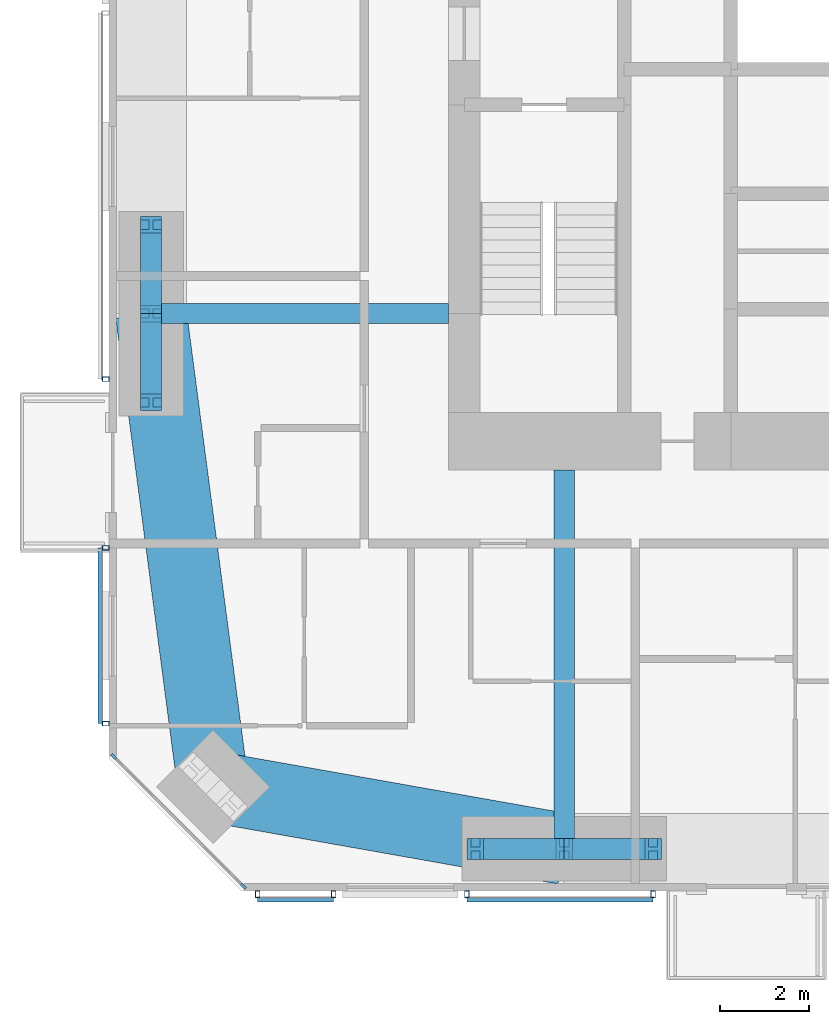
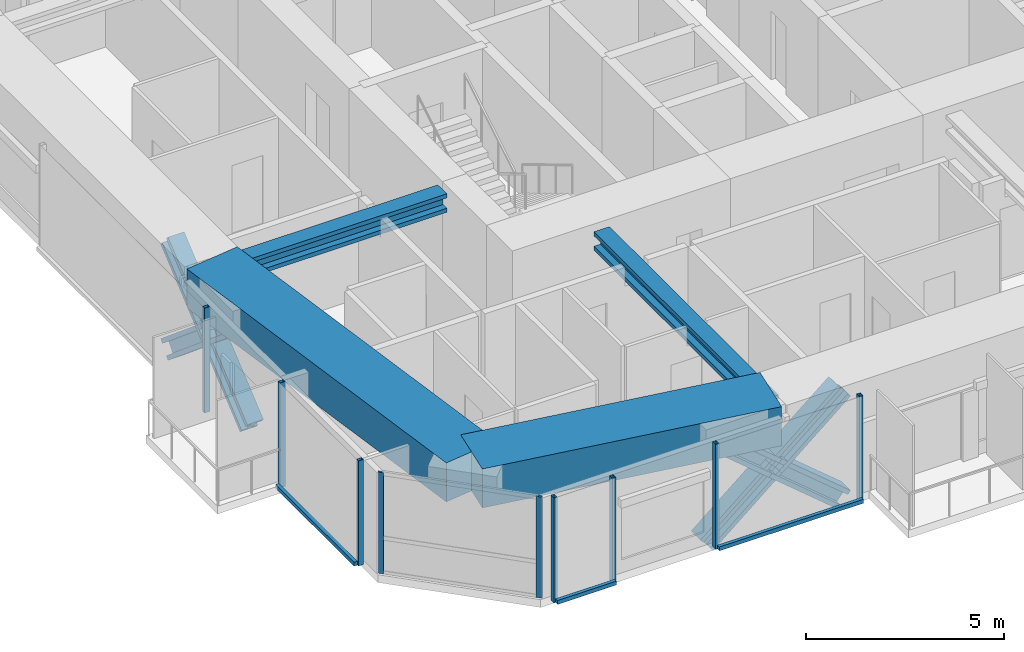
# One storey, part 2 of 22: 20 members, 4 beams, 5 elements without a shape of their own.
"""IFC4 building model written with IfcOpenShell, lengths in metres."""

from ifc_helpers import new_model, si_unit, direction, frame, origin, origin_2d, place, context, subcontext, project, spatial, rectangle, hollow_rectangle, i_section, extrude, material, material_profile, profile_set, type_object, element, aggregate, save


model = new_model("IFC4")

# Units and contexts
model_context = context("Model", 3, precision=1e-05, world=origin(), true_north=direction((0.0, 1.0)))
body_context = subcontext(model_context, "Body", "Model", "MODEL_VIEW")
ifc_project = project(units=[si_unit("LENGTHUNIT", "METRE"), si_unit("AREAUNIT", "SQUARE_METRE"), si_unit("VOLUMEUNIT", "CUBIC_METRE"), si_unit("PLANEANGLEUNIT", "RADIAN"), si_unit("MASSUNIT", "GRAM", prefix="KILO")], contexts=[model_context])

# Site, building, storey
site_placement = place(None, origin())
site = spatial("IfcSite", under=ifc_project, at=site_placement, CompositionType="ELEMENT")
building_placement = place(site_placement, origin())
building = spatial("IfcBuilding", under=site, at=building_placement, Name="Jalousie Tower", CompositionType="ELEMENT")
storey_placement = place(building_placement, frame((0.0, 0.0, 177.800048828125)))
storey = spatial("IfcBuildingStorey", under=building, at=storey_placement, Name="L48", CompositionType="ELEMENT", Elevation=177.800048828125)

# Curtain wall, members
ifc_material_1 = material(Name="Aluminium curtain wall", Category="aluminium")
curtain_wall_type_1 = type_object("IfcCurtainWallType", Name="CORNER WINDOW WALL", PredefinedType="USERDEFINED", material=ifc_material_1)
curtain_wall_1_placement = place(storey_placement, origin())
curtain_wall_1 = element("IfcCurtainWall", 1, at=curtain_wall_1_placement, inside=storey, type_object=curtain_wall_type_1, Name="Corner Window Wall L48 8", ObjectType="CORNER WINDOW WALL", PredefinedType="USERDEFINED")
ifc_material_2 = material(Name="Aluminium mullion", Category="aluminium")
ifc_material_profile_1 = material_profile(ifc_material_2, rectangle(XDim=0.06005859375, YDim=0.14990234375, at=origin_2d()), Name="MULLION 60x150")
ifc_profile_set_1 = profile_set([ifc_material_profile_1], Name="Aluminium mullion")
member_type_1 = type_object("IfcMemberType", Name="CORNER WINDOW WALL MULLION", PredefinedType="MULLION", material=ifc_profile_set_1)
member_1_placement = place(storey_placement, frame((12.108642578125, 3.030029296875, 0.0), z_axis=(0.0, 0.0, 1.0), x_axis=(0.707106781187, 0.707106781187, 0.0)))
member_1 = element("IfcMember", 2, at=member_1_placement, type_object=member_type_1, Name="CW-C mullion 1", PredefinedType="MULLION", context=body_context, shape_type="SweptSolid", body=[
    extrude(rectangle(XDim=0.06005859375, YDim=0.14990234375, at=origin_2d()), origin(), (0.0, 0.0, 1.0), 3.10986328125),
])
member_2_placement = place(storey_placement, frame((15.030029296875, 0.108642578125, 0.0), z_axis=(0.0, 0.0, 1.0), x_axis=(0.707106781187, 0.707106781187, 0.0)))
member_2 = element("IfcMember", 3, at=member_2_placement, type_object=member_type_1, Name="CW-C mullion 2", PredefinedType="MULLION", context=body_context, shape_type="SweptSolid", body=[
    extrude(rectangle(XDim=0.06005859375, YDim=0.14990234375, at=origin_2d()), origin(), (0.0, 0.0, 1.0), 3.10986328125),
])
aggregate(curtain_wall_1, [member_1, member_2])

# Beams
ifc_material_3 = material(Name="Steel ASTM A992 Grade 50", Category="steel")
ifc_material_profile_2 = material_profile(ifc_material_3, i_section(OverallWidth=0.45458984375, OverallDepth=0.569091796875, WebThickness=0.077880859375, FlangeThickness=0.124755859375, at=origin_2d()), Name="W14X730")
ifc_profile_set_2 = profile_set([ifc_material_profile_2], Name="Steel ASTM A992 Grade 50")
beam_type_1 = type_object("IfcBeamType", Name="LEAN COLLECTOR W14X730", PredefinedType="BEAM", material=ifc_profile_set_2)
beam_1_placement = place(storey_placement, frame((12.949951171875, 13.0, 2.825439453125), z_axis=(1.0, 0.0, 0.0), x_axis=(0.0, 1.0, 0.0)))
element("IfcBeam", 4, at=beam_1_placement, inside=storey, type_object=beam_type_1, Name="Lean collector under L49", PredefinedType="BEAM", context=body_context, shape_type="SweptSolid", body=[
    extrude(i_section(OverallWidth=0.45458984375, OverallDepth=0.569091796875, WebThickness=0.077880859375, FlangeThickness=0.124755859375, at=origin_2d()), origin(), (0.0, 0.0, 1.0), 6.699951171875),
])
beam_2_placement = place(storey_placement, frame((22.25, 0.949951171875, 2.825439453125), z_axis=(0.0, 1.0, 0.0), x_axis=(-1.0, 0.0, 0.0)))
element("IfcBeam", 5, at=beam_2_placement, inside=storey, type_object=beam_type_1, Name="Lean collector under L49", PredefinedType="BEAM", context=body_context, shape_type="SweptSolid", body=[
    extrude(i_section(OverallWidth=0.45458984375, OverallDepth=0.569091796875, WebThickness=0.077880859375, FlangeThickness=0.124755859375, at=origin_2d()), origin(), (0.0, 0.0, 1.0), 8.525146484375),
])

# Members
ifc_material_4 = material(Name="Steel ASTM A992 Grade 50", Category="steel")
ifc_material_profile_3 = material_profile(ifc_material_4, i_section(OverallWidth=0.472412109375, OverallDepth=0.5791015625, WebThickness=0.094970703125, FlangeThickness=0.1298828125, at=origin_2d()), Name="W14X808")
ifc_profile_set_3 = profile_set([ifc_material_profile_3], Name="Steel ASTM A992 Grade 50")
member_type_2 = type_object("IfcMemberType", Name="PERIMETER BRACE W14X808", PredefinedType="BRACE", material=ifc_profile_set_3)
for number, where, z_axis, x_axis, name in (
    (6, (20.25, 0.949951171875, -0.60009765625), (0.766638753323, 0.0, 0.642078672674), (0.0, 1.0, 0.0), "Perimeter brace 02 L48 part 1"),
    (7, (22.25, 0.949951171875, 1.074951171875), (0.766638753323, 0.0, 0.642078672674), (0.0, 1.0, 0.0), "Perimeter brace 02 L48 part 2"),
    (8, (24.25, 0.949951171875, -0.60009765625), (-0.766638753323, 0.0, 0.642078672674), (0.0, -1.0, 0.0), "Perimeter brace 02 L48 part 3"),
    (9, (22.25, 0.949951171875, 1.074951171875), (-0.766638753323, 0.0, 0.642078672674), (0.0, -1.0, 0.0), "Perimeter brace 02 L48 part 4"),
    (10, (12.949951171875, 11.0, -0.60009765625), (0.0, 0.766638753323, 0.642078672674), (-1.0, 0.0, 0.0), "Perimeter brace 14 L48 part 1"),
    (11, (12.949951171875, 13.0, 1.074951171875), (0.0, 0.766638753323, 0.642078672674), (-1.0, 0.0, 0.0), "Perimeter brace 14 L48 part 2"),
    (12, (12.949951171875, 15.0, -0.60009765625), (0.0, -0.766638753323, 0.642078672674), (1.0, 0.0, 0.0), "Perimeter brace 14 L48 part 3"),
    (13, (12.949951171875, 13.0, 1.074951171875), (0.0, -0.766638753323, 0.642078672674), (1.0, 0.0, 0.0), "Perimeter brace 14 L48 part 4"),
):
    element("IfcMember", number, at=place(storey_placement, frame(where, z_axis=z_axis, x_axis=x_axis)), inside=storey, type_object=member_type_2, Name=name, PredefinedType="BRACE", context=body_context, shape_type="SweptSolid", body=[
        extrude(i_section(OverallWidth=0.472412109375, OverallDepth=0.5791015625, WebThickness=0.094970703125, FlangeThickness=0.1298828125, at=origin_2d()), origin(), (0.0, 0.0, 1.0), 2.60888671875),
    ])

# Beams
ifc_material_5 = material(Name="Concrete f'c 40 MPa", Category="concrete")
ifc_material_profile_4 = material_profile(ifc_material_5, rectangle(XDim=1.60009765625, YDim=1.199951171875, at=origin_2d()), Name="RC 1600x1200")
ifc_profile_set_4 = profile_set([ifc_material_profile_4], Name="Concrete f'c 40 MPa")
beam_type_2 = type_object("IfcBeamType", Name="RC BEAM 1600x1200", PredefinedType="BEAM", material=ifc_profile_set_4)
beam_3_placement = place(storey_placement, frame((14.348388671875, 2.348388671875, 2.75), z_axis=(0.984697370688, -0.174273027632, 0.0), x_axis=(0.174273027632, 0.984697370688, 0.0)))
element("IfcBeam", 14, at=beam_3_placement, inside=storey, type_object=beam_type_2, Name="Edge band beam 01-02 under L49", PredefinedType="BEAM", context=body_context, shape_type="SweptSolid", body=[
    extrude(rectangle(XDim=1.60009765625, YDim=1.199951171875, at=origin_2d()), origin(), (0.0, 0.0, 1.0), 8.0244140625),
])
beam_4_placement = place(storey_placement, frame((12.949951171875, 13.0, 2.75), z_axis=(0.130171745558, -0.991491460709, 0.0), x_axis=(0.991491460709, 0.130171745558, 0.0)))
element("IfcBeam", 15, at=beam_4_placement, inside=storey, type_object=beam_type_2, Name="Edge band beam 14-01 under L49", PredefinedType="BEAM", context=body_context, shape_type="SweptSolid", body=[
    extrude(rectangle(XDim=1.60009765625, YDim=1.199951171875, at=origin_2d()), origin(), (0.0, 0.0, 1.0), 10.742919921875),
])

# Curtain wall, members
ifc_material_6 = material(Name="Perforated aluminium sheet", Category="aluminium")
curtain_wall_type_2 = type_object("IfcCurtainWallType", Name="SOLAR SCREEN SS-1", PredefinedType="USERDEFINED", material=ifc_material_6)
curtain_wall_2_placement = place(storey_placement, origin())
curtain_wall_2 = element("IfcCurtainWall", 16, at=curtain_wall_2_placement, inside=storey, type_object=curtain_wall_type_2, Name="Solar screen L48", ObjectType="SOLAR SCREEN SS-1", PredefinedType="USERDEFINED")
ifc_material_7 = material(Name="Steel ASTM A500 Grade C", Category="steel")
ifc_material_profile_5 = material_profile(ifc_material_7, hollow_rectangle(XDim=0.1015625, YDim=0.15234375, WallThickness=0.00634765625, at=origin_2d()), Name="HSS6X4X1/4")
ifc_profile_set_5 = profile_set([ifc_material_profile_5], Name="Steel ASTM A500 Grade C")
member_type_3 = type_object("IfcMemberType", Name="SOLAR SCREEN SS-1 MULLION", PredefinedType="MULLION", material=ifc_profile_set_5)
member_3_placement = place(storey_placement, frame((15.351318359375, -0.0712890625, -0.1201171875), z_axis=(0.0, 0.0, 1.0), x_axis=(1.0, 0.0, 0.0)))
member_3 = element("IfcMember", 17, at=member_3_placement, type_object=member_type_3, Name="SS1 post 1", PredefinedType="MULLION", context=body_context, shape_type="SweptSolid", body=[
    extrude(hollow_rectangle(XDim=0.1015625, YDim=0.15234375, WallThickness=0.00634765625, at=origin_2d()), origin(), (0.0, 0.0, 1.0), 3.22998046875),
])
member_4_placement = place(storey_placement, frame((17.060791015625, -0.0712890625, -0.1201171875), z_axis=(0.0, 0.0, 1.0), x_axis=(1.0, 0.0, 0.0)))
member_4 = element("IfcMember", 18, at=member_4_placement, type_object=member_type_3, Name="SS1 post 2", PredefinedType="MULLION", context=body_context, shape_type="SweptSolid", body=[
    extrude(hollow_rectangle(XDim=0.1015625, YDim=0.15234375, WallThickness=0.00634765625, at=origin_2d()), origin(), (0.0, 0.0, 1.0), 3.22998046875),
])

curtain_wall_3_placement = place(storey_placement, origin())
curtain_wall_3 = element("IfcCurtainWall", 19, at=curtain_wall_3_placement, inside=storey, type_object=curtain_wall_type_2, Name="Solar screen L48", ObjectType="SOLAR SCREEN SS-1", PredefinedType="USERDEFINED")
member_5_placement = place(storey_placement, frame((20.060791015625, -0.0712890625, -0.1201171875), z_axis=(0.0, 0.0, 1.0), x_axis=(1.0, 0.0, 0.0)))
member_5 = element("IfcMember", 20, at=member_5_placement, type_object=member_type_3, Name="SS1 post 1", PredefinedType="MULLION", context=body_context, shape_type="SweptSolid", body=[
    extrude(hollow_rectangle(XDim=0.1015625, YDim=0.15234375, WallThickness=0.00634765625, at=origin_2d()), origin(), (0.0, 0.0, 1.0), 3.22998046875),
])
member_6_placement = place(storey_placement, frame((24.25, -0.0712890625, -0.1201171875), z_axis=(0.0, 0.0, 1.0), x_axis=(1.0, 0.0, 0.0)))
member_6 = element("IfcMember", 21, at=member_6_placement, type_object=member_type_3, Name="SS1 post 2", PredefinedType="MULLION", context=body_context, shape_type="SweptSolid", body=[
    extrude(hollow_rectangle(XDim=0.1015625, YDim=0.15234375, WallThickness=0.00634765625, at=origin_2d()), origin(), (0.0, 0.0, 1.0), 3.22998046875),
])

# Curtain wall, member
curtain_wall_4_placement = place(storey_placement, origin())
curtain_wall_4 = element("IfcCurtainWall", 22, at=curtain_wall_4_placement, inside=storey, type_object=curtain_wall_type_2, Name="Solar screen L48", ObjectType="SOLAR SCREEN SS-1", PredefinedType="USERDEFINED")
member_7_placement = place(storey_placement, frame((11.9287109375, 11.52490234375, -0.1201171875), z_axis=(0.0, 0.0, 1.0), x_axis=(0.0, -1.0, 0.0)))
member_7 = element("IfcMember", 23, at=member_7_placement, type_object=member_type_3, Name="SS1 post 2", PredefinedType="MULLION", context=body_context, shape_type="SweptSolid", body=[
    extrude(hollow_rectangle(XDim=0.1015625, YDim=0.15234375, WallThickness=0.00634765625, at=origin_2d()), origin(), (0.0, 0.0, 1.0), 3.22998046875),
])
aggregate(curtain_wall_4, [member_7])

# Curtain wall, members
curtain_wall_5_placement = place(storey_placement, origin())
curtain_wall_5 = element("IfcCurtainWall", 24, at=curtain_wall_5_placement, inside=storey, type_object=curtain_wall_type_2, Name="Solar screen L48", ObjectType="SOLAR SCREEN SS-1", PredefinedType="USERDEFINED")
member_8_placement = place(storey_placement, frame((11.9287109375, 7.72509765625, -0.1201171875), z_axis=(0.0, 0.0, 1.0), x_axis=(0.0, -1.0, 0.0)))
member_8 = element("IfcMember", 25, at=member_8_placement, type_object=member_type_3, Name="SS1 post 1", PredefinedType="MULLION", context=body_context, shape_type="SweptSolid", body=[
    extrude(hollow_rectangle(XDim=0.1015625, YDim=0.15234375, WallThickness=0.00634765625, at=origin_2d()), origin(), (0.0, 0.0, 1.0), 3.22998046875),
])
member_9_placement = place(storey_placement, frame((11.9287109375, 3.771240234375, -0.1201171875), z_axis=(0.0, 0.0, 1.0), x_axis=(0.0, -1.0, 0.0)))
member_9 = element("IfcMember", 26, at=member_9_placement, type_object=member_type_3, Name="SS1 post 2", PredefinedType="MULLION", context=body_context, shape_type="SweptSolid", body=[
    extrude(hollow_rectangle(XDim=0.1015625, YDim=0.15234375, WallThickness=0.00634765625, at=origin_2d()), origin(), (0.0, 0.0, 1.0), 3.22998046875),
])

# Member
ifc_material_8 = material(Name="Extruded aluminium screen rail", Category="aluminium")
ifc_material_profile_6 = material_profile(ifc_material_8, rectangle(XDim=0.1015625, YDim=0.1201171875, at=origin_2d()), Name="RAIL 102x120")
ifc_profile_set_6 = profile_set([ifc_material_profile_6], Name="Extruded aluminium screen rail")
member_type_4 = type_object("IfcMemberType", Name="SOLAR SCREEN SS-1 TRANSOM", PredefinedType="USERDEFINED", material=ifc_profile_set_6)
member_10_placement = place(storey_placement, frame((15.351318359375, -0.1982421875, -0.06005859375), z_axis=(1.0, 0.0, 0.0), x_axis=(0.0, 1.0, 0.0)))
member_10 = element("IfcMember", 27, at=member_10_placement, type_object=member_type_4, Name="SS1 rail", ObjectType="TRANSOM", PredefinedType="USERDEFINED", context=body_context, shape_type="SweptSolid", body=[
    extrude(rectangle(XDim=0.1015625, YDim=0.1201171875, at=origin_2d()), origin(), (0.0, 0.0, 1.0), 1.70947265625),
])

aggregate(curtain_wall_2, [member_3, member_4, member_10])

member_11_placement = place(storey_placement, frame((20.060791015625, -0.1982421875, -0.06005859375), z_axis=(1.0, 0.0, 0.0), x_axis=(0.0, 1.0, 0.0)))
member_11 = element("IfcMember", 28, at=member_11_placement, type_object=member_type_4, Name="SS1 rail", ObjectType="TRANSOM", PredefinedType="USERDEFINED", context=body_context, shape_type="SweptSolid", body=[
    extrude(rectangle(XDim=0.1015625, YDim=0.1201171875, at=origin_2d()), origin(), (0.0, 0.0, 1.0), 4.189208984375),
])

aggregate(curtain_wall_3, [member_5, member_6, member_11])

member_12_placement = place(storey_placement, frame((11.8017578125, 7.72509765625, -0.06005859375), z_axis=(0.0, -1.0, 0.0), x_axis=(1.0, 0.0, 0.0)))
member_12 = element("IfcMember", 29, at=member_12_placement, type_object=member_type_4, Name="SS1 rail", ObjectType="TRANSOM", PredefinedType="USERDEFINED", context=body_context, shape_type="SweptSolid", body=[
    extrude(rectangle(XDim=0.1015625, YDim=0.1201171875, at=origin_2d()), origin(), (0.0, 0.0, 1.0), 3.953857421875),
])

aggregate(curtain_wall_5, [member_8, member_9, member_12])

save(model, "model.ifc")
